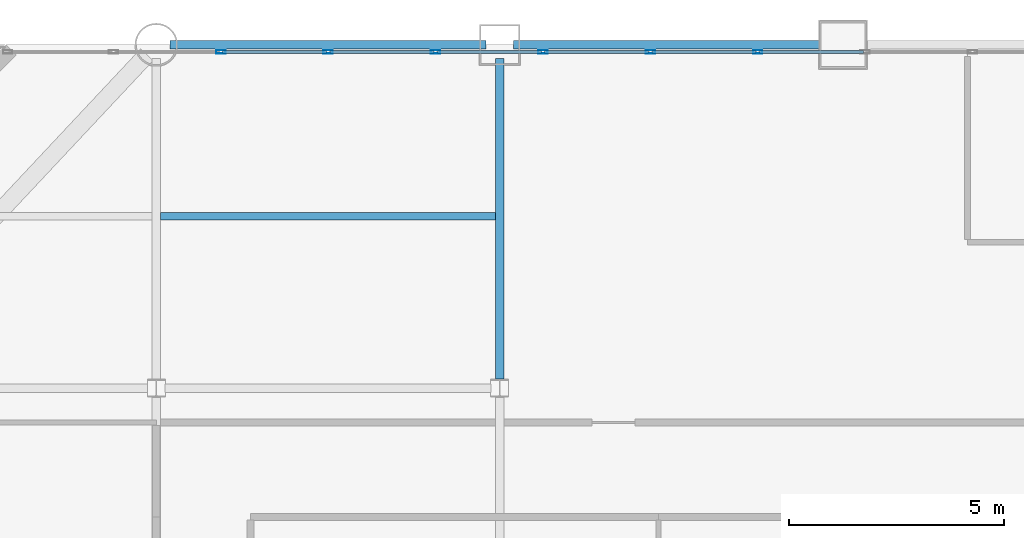
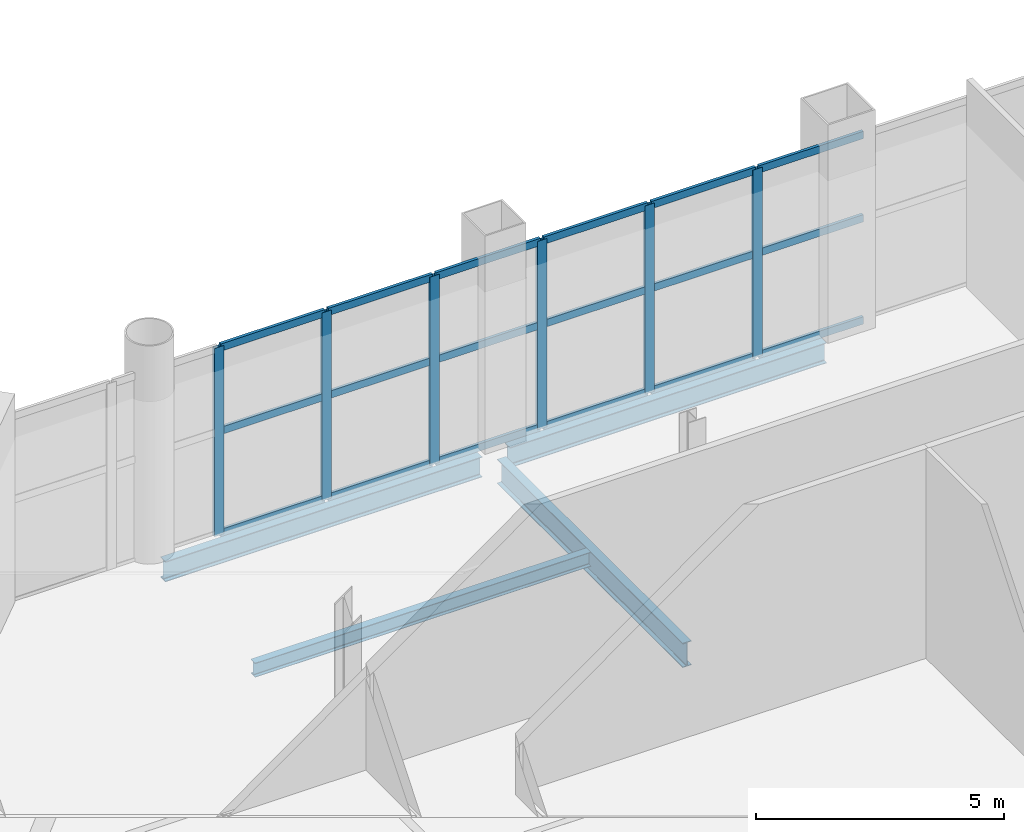
# One storey, part 14 of 22: 24 members, 4 beams, 1 element without a shape of its own.
"""IFC4 building model written with IfcOpenShell, lengths in metres."""

from ifc_helpers import new_model, si_unit, direction, frame, origin, origin_2d, place, context, subcontext, project, spatial, hollow_rectangle, i_section, extrude, material, layer, layer_set, material_profile, profile_set, type_object, element, aggregate, save


model = new_model("IFC4")

# Units and contexts
model_context = context("Model", 3, precision=1e-05, world=origin(), true_north=direction((0.0, 1.0)))
body_context = subcontext(model_context, "Body", "Model", "MODEL_VIEW")
ifc_project = project(units=[si_unit("LENGTHUNIT", "METRE"), si_unit("AREAUNIT", "SQUARE_METRE"), si_unit("VOLUMEUNIT", "CUBIC_METRE"), si_unit("PLANEANGLEUNIT", "RADIAN"), si_unit("MASSUNIT", "GRAM", prefix="KILO")], contexts=[model_context])

# Site, building, storey
site_placement = place(None, origin())
site = spatial("IfcSite", under=ifc_project, at=site_placement, CompositionType="ELEMENT")
building_placement = place(site_placement, origin())
building = spatial("IfcBuilding", under=site, at=building_placement, Name="Qianrong Seaharbour Tower", CompositionType="ELEMENT")
storey_placement = place(building_placement, frame((0.0, 0.0, 113.60009765625)))
storey = spatial("IfcBuildingStorey", under=building, at=storey_placement, Name="L27", CompositionType="ELEMENT", Elevation=113.60009765625)

# Beams
ifc_material_1 = material(Name="Structural steel SN490B", Category="steel")
ifc_material_profile_1 = material_profile(ifc_material_1, i_section(OverallWidth=0.199951171875, OverallDepth=0.60009765625, WebThickness=0.010986328125, FlangeThickness=0.01708984375, FilletRadius=0.02197265625, at=origin_2d()), Name="H600x200x11x17")
ifc_profile_set_1 = profile_set([ifc_material_profile_1], Name="Structural steel SN490B")
beam_type_1 = type_object("IfcBeamType", Name="BM-G-600", PredefinedType="BEAM", material=ifc_profile_set_1)
beam_1_placement = place(storey_placement, frame((24.5, 44.214111328125, -0.60009765625), z_axis=(0.0, 1.0, 0.0), x_axis=(-1.0, 0.0, 0.0)))
element("IfcBeam", 1, at=beam_1_placement, inside=storey, type_object=beam_type_1, Name="L27 Primary Girder G4 GG-GH", PredefinedType="BEAM", context=body_context, shape_type="SweptSolid", body=[
    extrude(i_section(OverallWidth=0.199951171875, OverallDepth=0.60009765625, WebThickness=0.010986328125, FlangeThickness=0.01708984375, FilletRadius=0.02197265625, at=origin_2d()), origin(), (0.0, 0.0, 1.0), 7.4658203125),
])
ifc_material_2 = material(Name="Structural steel SN400B", Category="steel")
ifc_material_profile_2 = material_profile(ifc_material_2, i_section(OverallWidth=0.175048828125, OverallDepth=0.35009765625, WebThickness=0.007080078125, FlangeThickness=0.010986328125, FilletRadius=0.013916015625, at=origin_2d()), Name="H350x175x7x11")
ifc_profile_set_2 = profile_set([ifc_material_profile_2], Name="Structural steel SN400B")
beam_type_2 = type_object("IfcBeamType", Name="BM-J-350", PredefinedType="JOIST", material=ifc_profile_set_2)
beam_2_placement = place(storey_placement, frame((16.60009765625, 48.0, -0.47509765625), z_axis=(1.0, 0.0, 0.0), x_axis=(0.0, 1.0, 0.0)))
element("IfcBeam", 2, at=beam_2_placement, inside=storey, type_object=beam_type_2, Name="L27 Composite Floor Joist G3-G4/GG-GH", PredefinedType="JOIST", context=body_context, shape_type="SweptSolid", body=[
    extrude(i_section(OverallWidth=0.175048828125, OverallDepth=0.35009765625, WebThickness=0.007080078125, FlangeThickness=0.010986328125, FilletRadius=0.013916015625, at=origin_2d()), origin(), (0.0, 0.0, 1.0), 7.7998046875),
])
ifc_material_profile_3 = material_profile(ifc_material_1, i_section(OverallWidth=0.199951171875, OverallDepth=0.5, WebThickness=0.010009765625, FlangeThickness=0.01611328125, FilletRadius=0.02001953125, at=origin_2d()), Name="H500x200x10x16")
ifc_profile_set_3 = profile_set([ifc_material_profile_3], Name="Structural steel SN490B")
beam_type_3 = type_object("IfcBeamType", Name="BM-SP-500", PredefinedType="SPANDREL", material=ifc_profile_set_3)
for number, where, z_axis, x_axis, name in (
    (3, (16.820068359375, 52.0, -0.550048828125), (1.0, 0.0, 0.0), (0.0, 1.0, 0.0), "L27 Spandrel Girder GH G3-G4"),
    (4, (24.820068359375, 52.0, -0.550048828125), (1.0, 0.0, 0.0), (0.0, 1.0, 0.0), "L27 Spandrel Girder GH G4-G5"),
):
    element("IfcBeam", number, at=place(storey_placement, frame(where, z_axis=z_axis, x_axis=x_axis)), inside=storey, type_object=beam_type_3, Name=name, PredefinedType="SPANDREL", context=body_context, shape_type="SweptSolid", body=[
        extrude(i_section(OverallWidth=0.199951171875, OverallDepth=0.5, WebThickness=0.010009765625, FlangeThickness=0.01611328125, FilletRadius=0.02001953125, at=origin_2d()), origin(), (0.0, 0.0, 1.0), 7.35986328125),
    ])

# Curtain wall, members
ifc_material_3 = material(Name="Anodised aluminium 6063-T6 and laminated low-e glass", Category="aluminium")
ifc_layer = layer(ifc_material_3, 0.2099609375)
ifc_layer_set = layer_set([ifc_layer], Name="Anodised aluminium 6063-T6 and laminated low-e glass")
curtain_wall_type = type_object("IfcCurtainWallType", Name="CW-SYS-2", PredefinedType="NOTDEFINED", material=ifc_layer_set)
curtain_wall_placement = place(storey_placement, origin())
curtain_wall = element("IfcCurtainWall", 5, at=curtain_wall_placement, inside=storey, type_object=curtain_wall_type, Name="L27 Sky-Lobby Feature Curtain Wall NORTH_WING", PredefinedType="NOTDEFINED")
ifc_material_4 = material(Name="Extruded aluminium 6063-T6", Category="aluminium")
ifc_material_profile_4 = material_profile(ifc_material_4, hollow_rectangle(XDim=0.080078125, YDim=0.219970703125, WallThickness=0.0048828125, at=origin_2d()), Name="ALU-MUL-220x80x5")
ifc_profile_set_4 = profile_set([ifc_material_profile_4], Name="Extruded aluminium 6063-T6")
member_type_1 = type_object("IfcMemberType", Name="CW-MUL-220", PredefinedType="MULLION", material=ifc_profile_set_4)
member_1_placement = place(storey_placement, frame((18.003662109375, 51.830078125, 0.0), z_axis=(0.0, 0.0, 1.0), x_axis=(0.0, 1.0, 0.0)))
member_1 = element("IfcMember", 6, at=member_1_placement, type_object=member_type_1, Name="CW-2 mullion 3", PredefinedType="MULLION", context=body_context, shape_type="SweptSolid", body=[
    extrude(hollow_rectangle(XDim=0.080078125, YDim=0.219970703125, WallThickness=0.0048828125, at=origin_2d()), origin(), (0.0, 0.0, 1.0), 4.625),
])
member_2_placement = place(storey_placement, frame((20.50537109375, 51.830078125, 0.0), z_axis=(0.0, 0.0, 1.0), x_axis=(0.0, 1.0, 0.0)))
member_2 = element("IfcMember", 7, at=member_2_placement, type_object=member_type_1, Name="CW-2 mullion 4", PredefinedType="MULLION", context=body_context, shape_type="SweptSolid", body=[
    extrude(hollow_rectangle(XDim=0.080078125, YDim=0.219970703125, WallThickness=0.0048828125, at=origin_2d()), origin(), (0.0, 0.0, 1.0), 4.625),
])
member_3_placement = place(storey_placement, frame((23.00732421875, 51.830078125, 0.0), z_axis=(0.0, 0.0, 1.0), x_axis=(0.0, 1.0, 0.0)))
member_3 = element("IfcMember", 8, at=member_3_placement, type_object=member_type_1, Name="CW-2 mullion 5", PredefinedType="MULLION", context=body_context, shape_type="SweptSolid", body=[
    extrude(hollow_rectangle(XDim=0.080078125, YDim=0.219970703125, WallThickness=0.0048828125, at=origin_2d()), origin(), (0.0, 0.0, 1.0), 4.625),
])
member_4_placement = place(storey_placement, frame((25.509033203125, 51.830078125, 0.0), z_axis=(0.0, 0.0, 1.0), x_axis=(0.0, 1.0, 0.0)))
member_4 = element("IfcMember", 9, at=member_4_placement, type_object=member_type_1, Name="CW-2 mullion 6", PredefinedType="MULLION", context=body_context, shape_type="SweptSolid", body=[
    extrude(hollow_rectangle(XDim=0.080078125, YDim=0.219970703125, WallThickness=0.0048828125, at=origin_2d()), origin(), (0.0, 0.0, 1.0), 4.625),
])
member_5_placement = place(storey_placement, frame((28.010986328125, 51.830078125, 0.0), z_axis=(0.0, 0.0, 1.0), x_axis=(0.0, 1.0, 0.0)))
member_5 = element("IfcMember", 10, at=member_5_placement, type_object=member_type_1, Name="CW-2 mullion 7", PredefinedType="MULLION", context=body_context, shape_type="SweptSolid", body=[
    extrude(hollow_rectangle(XDim=0.080078125, YDim=0.219970703125, WallThickness=0.0048828125, at=origin_2d()), origin(), (0.0, 0.0, 1.0), 4.625),
])
member_6_placement = place(storey_placement, frame((30.5126953125, 51.830078125, 0.0), z_axis=(0.0, 0.0, 1.0), x_axis=(0.0, 1.0, 0.0)))
member_6 = element("IfcMember", 11, at=member_6_placement, type_object=member_type_1, Name="CW-2 mullion 8", PredefinedType="MULLION", context=body_context, shape_type="SweptSolid", body=[
    extrude(hollow_rectangle(XDim=0.080078125, YDim=0.219970703125, WallThickness=0.0048828125, at=origin_2d()), origin(), (0.0, 0.0, 1.0), 4.625),
])
ifc_material_profile_5 = material_profile(ifc_material_4, hollow_rectangle(XDim=0.070068359375, YDim=0.179931640625, WallThickness=0.00390625, at=origin_2d()), Name="ALU-TRN-180x70x4")
ifc_profile_set_5 = profile_set([ifc_material_profile_5], Name="Extruded aluminium 6063-T6")
member_type_2 = type_object("IfcMemberType", Name="CW-TRN-180", PredefinedType="USERDEFINED", material=ifc_profile_set_5)
member_7_placement = place(storey_placement, frame((18.043701171875, 51.830078125, 0.034912109375), z_axis=(1.0, 0.0, 0.0), x_axis=(0.0, 1.0, 0.0)))
member_7 = element("IfcMember", 12, at=member_7_placement, type_object=member_type_2, Name="CW-2 transom 3.1", ObjectType="TRANSOM", PredefinedType="USERDEFINED", context=body_context, shape_type="SweptSolid", body=[
    extrude(hollow_rectangle(XDim=0.070068359375, YDim=0.179931640625, WallThickness=0.00390625, at=origin_2d()), origin(), (0.0, 0.0, 1.0), 2.421875),
])
member_8_placement = place(storey_placement, frame((18.043701171875, 51.830078125, 2.543701171875), z_axis=(1.0, 0.0, 0.0), x_axis=(0.0, 1.0, 0.0)))
member_8 = element("IfcMember", 13, at=member_8_placement, type_object=member_type_2, Name="CW-2 transom 3.2", ObjectType="TRANSOM", PredefinedType="USERDEFINED", context=body_context, shape_type="SweptSolid", body=[
    extrude(hollow_rectangle(XDim=0.070068359375, YDim=0.179931640625, WallThickness=0.00390625, at=origin_2d()), origin(), (0.0, 0.0, 1.0), 2.421875),
])
member_9_placement = place(storey_placement, frame((18.043701171875, 51.830078125, 4.58984375), z_axis=(1.0, 0.0, 0.0), x_axis=(0.0, 1.0, 0.0)))
member_9 = element("IfcMember", 14, at=member_9_placement, type_object=member_type_2, Name="CW-2 transom 3.3", ObjectType="TRANSOM", PredefinedType="USERDEFINED", context=body_context, shape_type="SweptSolid", body=[
    extrude(hollow_rectangle(XDim=0.070068359375, YDim=0.179931640625, WallThickness=0.00390625, at=origin_2d()), origin(), (0.0, 0.0, 1.0), 2.421875),
])
member_10_placement = place(storey_placement, frame((20.54541015625, 51.830078125, 0.034912109375), z_axis=(1.0, 0.0, 0.0), x_axis=(0.0, 1.0, 0.0)))
member_10 = element("IfcMember", 15, at=member_10_placement, type_object=member_type_2, Name="CW-2 transom 4.1", ObjectType="TRANSOM", PredefinedType="USERDEFINED", context=body_context, shape_type="SweptSolid", body=[
    extrude(hollow_rectangle(XDim=0.070068359375, YDim=0.179931640625, WallThickness=0.00390625, at=origin_2d()), origin(), (0.0, 0.0, 1.0), 2.421875),
])
member_11_placement = place(storey_placement, frame((20.54541015625, 51.830078125, 2.543701171875), z_axis=(1.0, 0.0, 0.0), x_axis=(0.0, 1.0, 0.0)))
member_11 = element("IfcMember", 16, at=member_11_placement, type_object=member_type_2, Name="CW-2 transom 4.2", ObjectType="TRANSOM", PredefinedType="USERDEFINED", context=body_context, shape_type="SweptSolid", body=[
    extrude(hollow_rectangle(XDim=0.070068359375, YDim=0.179931640625, WallThickness=0.00390625, at=origin_2d()), origin(), (0.0, 0.0, 1.0), 2.421875),
])
member_12_placement = place(storey_placement, frame((20.54541015625, 51.830078125, 4.58984375), z_axis=(1.0, 0.0, 0.0), x_axis=(0.0, 1.0, 0.0)))
member_12 = element("IfcMember", 17, at=member_12_placement, type_object=member_type_2, Name="CW-2 transom 4.3", ObjectType="TRANSOM", PredefinedType="USERDEFINED", context=body_context, shape_type="SweptSolid", body=[
    extrude(hollow_rectangle(XDim=0.070068359375, YDim=0.179931640625, WallThickness=0.00390625, at=origin_2d()), origin(), (0.0, 0.0, 1.0), 2.421875),
])
member_13_placement = place(storey_placement, frame((23.04736328125, 51.830078125, 0.034912109375), z_axis=(1.0, 0.0, 0.0), x_axis=(0.0, 1.0, 0.0)))
member_13 = element("IfcMember", 18, at=member_13_placement, type_object=member_type_2, Name="CW-2 transom 5.1", ObjectType="TRANSOM", PredefinedType="USERDEFINED", context=body_context, shape_type="SweptSolid", body=[
    extrude(hollow_rectangle(XDim=0.070068359375, YDim=0.179931640625, WallThickness=0.00390625, at=origin_2d()), origin(), (0.0, 0.0, 1.0), 2.421630859375),
])
member_14_placement = place(storey_placement, frame((23.04736328125, 51.830078125, 2.543701171875), z_axis=(1.0, 0.0, 0.0), x_axis=(0.0, 1.0, 0.0)))
member_14 = element("IfcMember", 19, at=member_14_placement, type_object=member_type_2, Name="CW-2 transom 5.2", ObjectType="TRANSOM", PredefinedType="USERDEFINED", context=body_context, shape_type="SweptSolid", body=[
    extrude(hollow_rectangle(XDim=0.070068359375, YDim=0.179931640625, WallThickness=0.00390625, at=origin_2d()), origin(), (0.0, 0.0, 1.0), 2.421630859375),
])
member_15_placement = place(storey_placement, frame((23.04736328125, 51.830078125, 4.58984375), z_axis=(1.0, 0.0, 0.0), x_axis=(0.0, 1.0, 0.0)))
member_15 = element("IfcMember", 20, at=member_15_placement, type_object=member_type_2, Name="CW-2 transom 5.3", ObjectType="TRANSOM", PredefinedType="USERDEFINED", context=body_context, shape_type="SweptSolid", body=[
    extrude(hollow_rectangle(XDim=0.070068359375, YDim=0.179931640625, WallThickness=0.00390625, at=origin_2d()), origin(), (0.0, 0.0, 1.0), 2.421630859375),
])
member_16_placement = place(storey_placement, frame((25.549072265625, 51.830078125, 0.034912109375), z_axis=(1.0, 0.0, 0.0), x_axis=(0.0, 1.0, 0.0)))
member_16 = element("IfcMember", 21, at=member_16_placement, type_object=member_type_2, Name="CW-2 transom 6.1", ObjectType="TRANSOM", PredefinedType="USERDEFINED", context=body_context, shape_type="SweptSolid", body=[
    extrude(hollow_rectangle(XDim=0.070068359375, YDim=0.179931640625, WallThickness=0.00390625, at=origin_2d()), origin(), (0.0, 0.0, 1.0), 2.421875),
])
member_17_placement = place(storey_placement, frame((25.549072265625, 51.830078125, 2.543701171875), z_axis=(1.0, 0.0, 0.0), x_axis=(0.0, 1.0, 0.0)))
member_17 = element("IfcMember", 22, at=member_17_placement, type_object=member_type_2, Name="CW-2 transom 6.2", ObjectType="TRANSOM", PredefinedType="USERDEFINED", context=body_context, shape_type="SweptSolid", body=[
    extrude(hollow_rectangle(XDim=0.070068359375, YDim=0.179931640625, WallThickness=0.00390625, at=origin_2d()), origin(), (0.0, 0.0, 1.0), 2.421875),
])
member_18_placement = place(storey_placement, frame((25.549072265625, 51.830078125, 4.58984375), z_axis=(1.0, 0.0, 0.0), x_axis=(0.0, 1.0, 0.0)))
member_18 = element("IfcMember", 23, at=member_18_placement, type_object=member_type_2, Name="CW-2 transom 6.3", ObjectType="TRANSOM", PredefinedType="USERDEFINED", context=body_context, shape_type="SweptSolid", body=[
    extrude(hollow_rectangle(XDim=0.070068359375, YDim=0.179931640625, WallThickness=0.00390625, at=origin_2d()), origin(), (0.0, 0.0, 1.0), 2.421875),
])
member_19_placement = place(storey_placement, frame((28.051025390625, 51.830078125, 0.034912109375), z_axis=(1.0, 0.0, 0.0), x_axis=(0.0, 1.0, 0.0)))
member_19 = element("IfcMember", 24, at=member_19_placement, type_object=member_type_2, Name="CW-2 transom 7.1", ObjectType="TRANSOM", PredefinedType="USERDEFINED", context=body_context, shape_type="SweptSolid", body=[
    extrude(hollow_rectangle(XDim=0.070068359375, YDim=0.179931640625, WallThickness=0.00390625, at=origin_2d()), origin(), (0.0, 0.0, 1.0), 2.421630859375),
])
member_20_placement = place(storey_placement, frame((28.051025390625, 51.830078125, 2.543701171875), z_axis=(1.0, 0.0, 0.0), x_axis=(0.0, 1.0, 0.0)))
member_20 = element("IfcMember", 25, at=member_20_placement, type_object=member_type_2, Name="CW-2 transom 7.2", ObjectType="TRANSOM", PredefinedType="USERDEFINED", context=body_context, shape_type="SweptSolid", body=[
    extrude(hollow_rectangle(XDim=0.070068359375, YDim=0.179931640625, WallThickness=0.00390625, at=origin_2d()), origin(), (0.0, 0.0, 1.0), 2.421630859375),
])
member_21_placement = place(storey_placement, frame((28.051025390625, 51.830078125, 4.58984375), z_axis=(1.0, 0.0, 0.0), x_axis=(0.0, 1.0, 0.0)))
member_21 = element("IfcMember", 26, at=member_21_placement, type_object=member_type_2, Name="CW-2 transom 7.3", ObjectType="TRANSOM", PredefinedType="USERDEFINED", context=body_context, shape_type="SweptSolid", body=[
    extrude(hollow_rectangle(XDim=0.070068359375, YDim=0.179931640625, WallThickness=0.00390625, at=origin_2d()), origin(), (0.0, 0.0, 1.0), 2.421630859375),
])
member_22_placement = place(storey_placement, frame((30.552734375, 51.830078125, 0.034912109375), z_axis=(1.0, 0.0, 0.0), x_axis=(0.0, 1.0, 0.0)))
member_22 = element("IfcMember", 27, at=member_22_placement, type_object=member_type_2, Name="CW-2 transom 8.1", ObjectType="TRANSOM", PredefinedType="USERDEFINED", context=body_context, shape_type="SweptSolid", body=[
    extrude(hollow_rectangle(XDim=0.070068359375, YDim=0.179931640625, WallThickness=0.00390625, at=origin_2d()), origin(), (0.0, 0.0, 1.0), 2.421875),
])
member_23_placement = place(storey_placement, frame((30.552734375, 51.830078125, 2.543701171875), z_axis=(1.0, 0.0, 0.0), x_axis=(0.0, 1.0, 0.0)))
member_23 = element("IfcMember", 28, at=member_23_placement, type_object=member_type_2, Name="CW-2 transom 8.2", ObjectType="TRANSOM", PredefinedType="USERDEFINED", context=body_context, shape_type="SweptSolid", body=[
    extrude(hollow_rectangle(XDim=0.070068359375, YDim=0.179931640625, WallThickness=0.00390625, at=origin_2d()), origin(), (0.0, 0.0, 1.0), 2.421875),
])
member_24_placement = place(storey_placement, frame((30.552734375, 51.830078125, 4.58984375), z_axis=(1.0, 0.0, 0.0), x_axis=(0.0, 1.0, 0.0)))
member_24 = element("IfcMember", 29, at=member_24_placement, type_object=member_type_2, Name="CW-2 transom 8.3", ObjectType="TRANSOM", PredefinedType="USERDEFINED", context=body_context, shape_type="SweptSolid", body=[
    extrude(hollow_rectangle(XDim=0.070068359375, YDim=0.179931640625, WallThickness=0.00390625, at=origin_2d()), origin(), (0.0, 0.0, 1.0), 2.421875),
])
aggregate(curtain_wall, [member_1, member_2, member_3, member_4, member_5, member_6, member_7, member_8, member_9, member_10, member_11, member_12, member_13, member_14, member_15, member_16, member_17, member_18, member_19, member_20, member_21, member_22, member_23, member_24])

save(model, "model.ifc")
